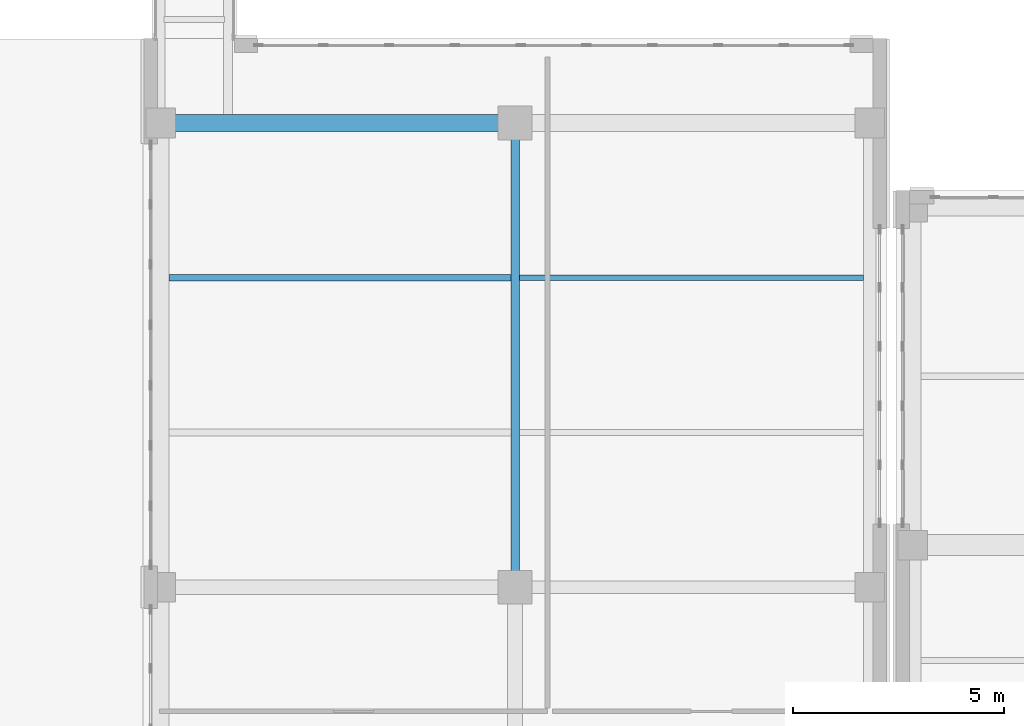
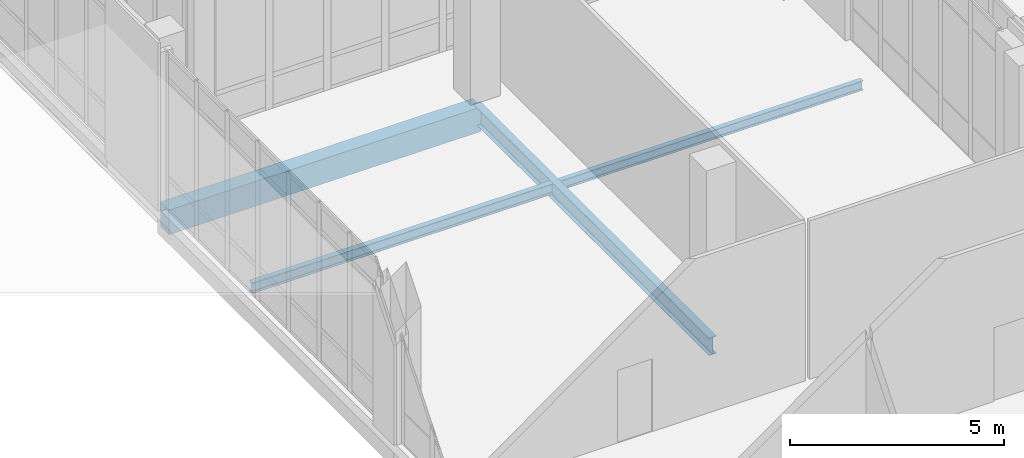
# One storey, part 7 of 189: 4 beams.
"""IFC4 building model written with IfcOpenShell, lengths in metres."""

from ifc_helpers import new_model, si_unit, direction, frame, origin, origin_2d, place, context, subcontext, project, spatial, rectangle, i_section, extrude, material, material_profile, profile_set, type_object, element, save


model = new_model("IFC4")

# Units and contexts
model_context = context("Model", 3, precision=1e-05, world=origin(), true_north=direction((0.0, 1.0)))
body_context = subcontext(model_context, "Body", "Model", "MODEL_VIEW")
ifc_project = project(units=[si_unit("LENGTHUNIT", "METRE"), si_unit("AREAUNIT", "SQUARE_METRE"), si_unit("VOLUMEUNIT", "CUBIC_METRE"), si_unit("PLANEANGLEUNIT", "RADIAN"), si_unit("MASSUNIT", "GRAM", prefix="KILO")], contexts=[model_context])

# Site, building, storey
site_placement = place(None, origin())
site = spatial("IfcSite", under=ifc_project, at=site_placement, CompositionType="ELEMENT")
building_placement = place(site_placement, origin())
building = spatial("IfcBuilding", under=site, at=building_placement, Name="Qalavern Law Courts", CompositionType="ELEMENT")
storey_placement = place(building_placement, frame((0.0, 0.0, 5.39990234375)))
storey = spatial("IfcBuildingStorey", under=building, at=storey_placement, Name="L01", CompositionType="ELEMENT", Elevation=5.39990234375)

# Beams
ifc_material_1 = material(Name="Steel S355", Category="steel")
ifc_material_profile_1 = material_profile(ifc_material_1, i_section(OverallWidth=0.199951171875, OverallDepth=0.5, WebThickness=0.01025390625, FlangeThickness=0.01611328125, FilletRadius=0.02099609375, at=origin_2d()), Name="IPE 500")
ifc_profile_set_1 = profile_set([ifc_material_profile_1], Name="Steel S355")
beam_type_1 = type_object("IfcBeamType", Name="STR-BM-IPE500", PredefinedType="BEAM", material=ifc_profile_set_1)
beam_1_placement = place(storey_placement, frame((25.199951171875, 21.0, -0.5498046875), z_axis=(0.0, 1.0, 0.0), x_axis=(-1.0, 0.0, 0.0)))
element("IfcBeam", 1, at=beam_1_placement, inside=storey, type_object=beam_type_1, Name="V1 Y-beam 2-2 L01", PredefinedType="BEAM", context=body_context, shape_type="SweptSolid", body=[
    extrude(i_section(OverallWidth=0.199951171875, OverallDepth=0.5, WebThickness=0.01025390625, FlangeThickness=0.01611328125, FilletRadius=0.02099609375, at=origin_2d()), origin(), (0.0, 0.0, 1.0), 11.0),
])
ifc_material_profile_2 = material_profile(ifc_material_1, i_section(OverallWidth=0.135009765625, OverallDepth=0.27001953125, WebThickness=0.006591796875, FlangeThickness=0.01025390625, FilletRadius=0.014892578125, at=origin_2d()), Name="IPE 270")
ifc_profile_set_2 = profile_set([ifc_material_profile_2], Name="Steel S355")
beam_type_2 = type_object("IfcBeamType", Name="STR-JST-IPE270", PredefinedType="JOIST", material=ifc_profile_set_2)
beam_2_placement = place(storey_placement, frame((25.298095703125, 28.333251953125, -0.434814453125), z_axis=(1.0, 0.0, 0.0), x_axis=(0.0, 1.0, 0.0)))
element("IfcBeam", 2, at=beam_2_placement, inside=storey, type_object=beam_type_2, Name="V1 secondary joist 2.2.2 L01", PredefinedType="JOIST", context=body_context, shape_type="SweptSolid", body=[
    extrude(i_section(OverallWidth=0.135009765625, OverallDepth=0.27001953125, WebThickness=0.006591796875, FlangeThickness=0.01025390625, FilletRadius=0.014892578125, at=origin_2d()), origin(), (0.0, 0.0, 1.0), 8.15380859375),
])
ifc_material_profile_3 = material_profile(ifc_material_1, i_section(OverallWidth=0.14990234375, OverallDepth=0.300048828125, WebThickness=0.007080078125, FlangeThickness=0.0107421875, FilletRadius=0.014892578125, at=origin_2d()), Name="IPE 300")
ifc_profile_set_3 = profile_set([ifc_material_profile_3], Name="Steel S355")
beam_type_3 = type_object("IfcBeamType", Name="STR-JST-IPE300", PredefinedType="JOIST", material=ifc_profile_set_3)
beam_3_placement = place(storey_placement, frame((16.998046875, 28.333251953125, -0.449951171875), z_axis=(1.0, 0.0, 0.0), x_axis=(0.0, 1.0, 0.0)))
element("IfcBeam", 3, at=beam_3_placement, inside=storey, type_object=beam_type_3, Name="V1 secondary joist 1.2.2 L01", PredefinedType="JOIST", context=body_context, shape_type="SweptSolid", body=[
    extrude(i_section(OverallWidth=0.14990234375, OverallDepth=0.300048828125, WebThickness=0.007080078125, FlangeThickness=0.0107421875, FilletRadius=0.014892578125, at=origin_2d()), origin(), (0.0, 0.0, 1.0), 8.10400390625),
])
ifc_material_2 = material(Name="Concrete C40/50", Category="concrete")
ifc_material_profile_4 = material_profile(ifc_material_2, rectangle(XDim=0.39990234375, YDim=0.699951171875, at=origin_2d()), Name="RC 400x700")
ifc_profile_set_4 = profile_set([ifc_material_profile_4], Name="Concrete C40/50")
beam_type_4 = type_object("IfcBeamType", Name="STR-SP-RC400x700", PredefinedType="SPANDREL", material=ifc_profile_set_4)
beam_4_placement = place(storey_placement, frame((16.800048828125, 32.0, -0.64990234375), z_axis=(1.0, 0.0, 0.0), x_axis=(0.0, 1.0, 0.0)))
element("IfcBeam", 4, at=beam_4_placement, inside=storey, type_object=beam_type_4, Name="V1 X-beam 3-1 L01", PredefinedType="SPANDREL", context=body_context, shape_type="SweptSolid", body=[
    extrude(rectangle(XDim=0.39990234375, YDim=0.699951171875, at=origin_2d()), origin(), (0.0, 0.0, 1.0), 8.39990234375),
])

save(model, "model.ifc")
